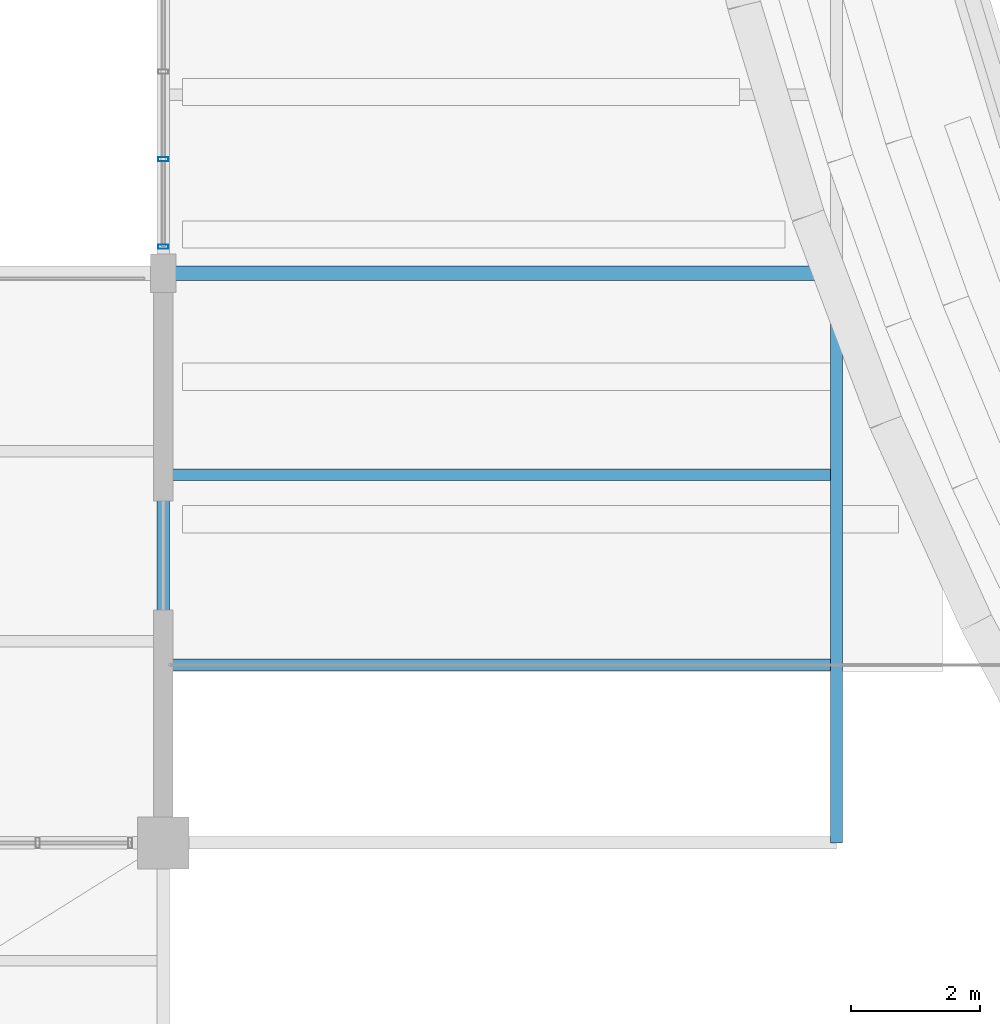
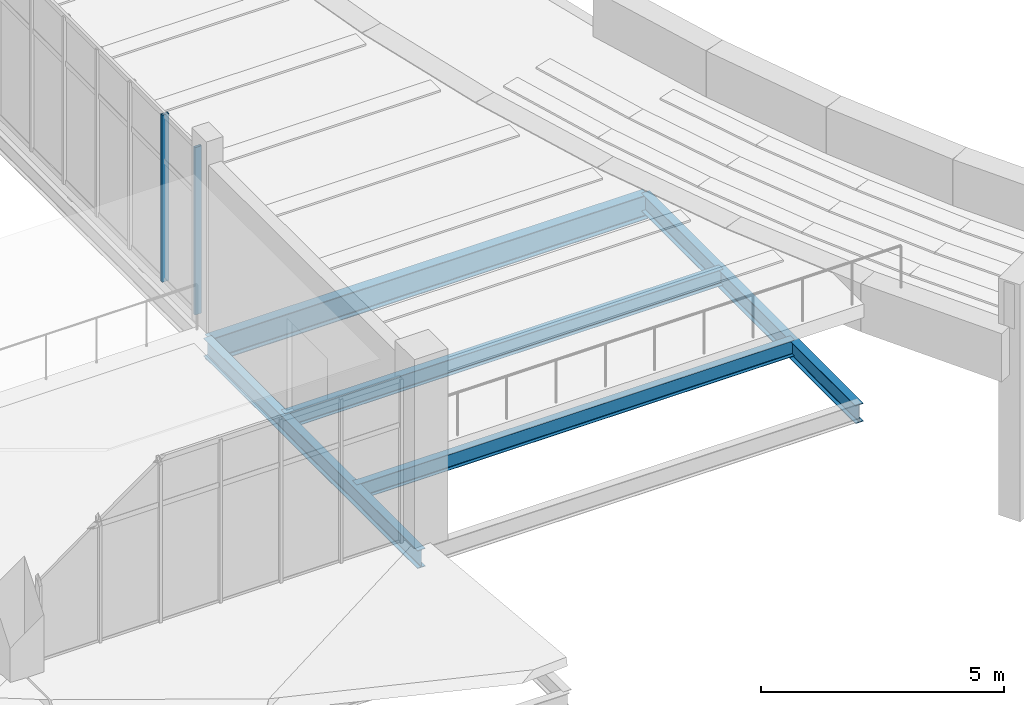
# One storey, part 108 of 157: 5 beams, 2 members, 1 element without a shape of its own.
"""IFC4 building model written with IfcOpenShell, lengths in metres."""

from ifc_helpers import new_model, si_unit, direction, frame, origin, origin_2d, place, context, subcontext, project, spatial, hollow_rectangle, i_section, extrude, material, layer, layer_set, material_profile, profile_set, type_object, element, aggregate, save


model = new_model("IFC4")

# Units and contexts
model_context = context("Model", 3, precision=1e-05, world=origin(), true_north=direction((0.0, 1.0)))
body_context = subcontext(model_context, "Body", "Model", "MODEL_VIEW")
ifc_project = project(units=[si_unit("LENGTHUNIT", "METRE"), si_unit("AREAUNIT", "SQUARE_METRE"), si_unit("VOLUMEUNIT", "CUBIC_METRE"), si_unit("PLANEANGLEUNIT", "RADIAN"), si_unit("MASSUNIT", "GRAM", prefix="KILO")], contexts=[model_context])

# Site, building, storey
site_placement = place(None, origin())
site = spatial("IfcSite", under=ifc_project, at=site_placement, CompositionType="ELEMENT")
building_placement = place(site_placement, origin())
building = spatial("IfcBuilding", under=site, at=building_placement, Name="Chalmorin Arch Market", CompositionType="ELEMENT")
storey_placement = place(building_placement, frame((0.0, 0.0, 4.800048828125)))
storey = spatial("IfcBuildingStorey", under=building, at=storey_placement, Name="L01", CompositionType="ELEMENT", Elevation=4.800048828125)

# Curtain wall, members
ifc_material_1 = material(Name="Aluminium 6063-T6", Category="aluminium")
ifc_layer = layer(ifc_material_1, 0.159912109375)
ifc_layer_set = layer_set([ifc_layer], Name="Aluminium 6063-T6")
curtain_wall_type = type_object("IfcCurtainWallType", Name="GableTympanumCurtainWall-CW4-8100x4200", PredefinedType="NOTDEFINED", material=ifc_layer_set)
curtain_wall_placement = place(storey_placement, origin())
curtain_wall = element("IfcCurtainWall", 1, at=curtain_wall_placement, inside=storey, type_object=curtain_wall_type, Name="CW-04-038", PredefinedType="NOTDEFINED")
ifc_material_profile_1 = material_profile(ifc_material_1, hollow_rectangle(XDim=0.06494140625, YDim=0.159912109375, WallThickness=0.00390625, at=origin_2d()), Name="ALU65X160X4")
ifc_profile_set_1 = profile_set([ifc_material_profile_1], Name="Aluminium 6063-T6")
member_type = type_object("IfcMemberType", Name="CurtainWallMullion-65x160", PredefinedType="MULLION", material=ifc_profile_set_1)
member_1_placement = place(storey_placement, frame((124.800048828125, 15.2099609375, 0.0), z_axis=(0.0, 0.0, 1.0), x_axis=(0.0, 1.0, 0.0)))
member_1 = element("IfcMember", 2, at=member_1_placement, type_object=member_type, Name="ML-038-01", PredefinedType="MULLION", context=body_context, shape_type="SweptSolid", body=[
    extrude(hollow_rectangle(XDim=0.06494140625, YDim=0.159912109375, WallThickness=0.00390625, at=origin_2d()), origin(), (0.0, 0.0, 1.0), 4.199951171875),
])
member_2_placement = place(storey_placement, frame((124.800048828125, 16.560302734375, 0.0), z_axis=(0.0, 0.0, 1.0), x_axis=(0.0, 1.0, 0.0)))
member_2 = element("IfcMember", 3, at=member_2_placement, type_object=member_type, Name="ML-038-02", PredefinedType="MULLION", context=body_context, shape_type="SweptSolid", body=[
    extrude(hollow_rectangle(XDim=0.06494140625, YDim=0.159912109375, WallThickness=0.00390625, at=origin_2d()), origin(), (0.0, 0.0, 1.0), 4.199951171875),
])
aggregate(curtain_wall, [member_1, member_2])

# Beams
ifc_material_2 = material(Name="Steel A992 Grade 50", Category="steel")
ifc_material_profile_2 = material_profile(ifc_material_2, i_section(OverallWidth=0.19091796875, OverallDepth=0.45703125, WebThickness=0.009033203125, FlangeThickness=0.014404296875, FilletRadius=0.02001953125, at=origin_2d()), Name="W18X50")
ifc_profile_set_2 = profile_set([ifc_material_profile_2], Name="Steel A992 Grade 50")
beam_type_1 = type_object("IfcBeamType", Name="PerimeterSpandrelBeam-W18X50", PredefinedType="SPANDREL", material=ifc_profile_set_2)
for number, where, z_axis, x_axis, name in (
    (4, (124.800048828125, 6.0, -0.570556640625), (0.0, 1.0, 0.0), (-1.0, 0.0, 0.0), "SP-W18-0624"),
    (5, (135.199951171875, 6.0, -0.570556640625), (0.0, 1.0, 0.0), (-1.0, 0.0, 0.0), "SP-W18-0682"),
):
    element("IfcBeam", number, at=place(storey_placement, frame(where, z_axis=z_axis, x_axis=x_axis)), inside=storey, type_object=beam_type_1, Name=name, PredefinedType="SPANDREL", context=body_context, shape_type="SweptSolid", body=[
        extrude(i_section(OverallWidth=0.19091796875, OverallDepth=0.45703125, WebThickness=0.009033203125, FlangeThickness=0.014404296875, FilletRadius=0.02001953125, at=origin_2d()), origin(), (0.0, 0.0, 1.0), 8.800048828125),
    ])
ifc_material_profile_3 = material_profile(ifc_material_2, i_section(OverallWidth=0.22802734375, OverallDepth=0.60791015625, WebThickness=0.01123046875, FlangeThickness=0.017333984375, FilletRadius=0.02392578125, at=origin_2d()), Name="W24X76")
ifc_profile_set_3 = profile_set([ifc_material_profile_3], Name="Steel A992 Grade 50")
beam_type_2 = type_object("IfcBeamType", Name="PrimarySteelGirder-W24X76", PredefinedType="BEAM", material=ifc_profile_set_3)
beam_placement = place(storey_placement, frame((124.800048828125, 14.800048828125, -0.64599609375), z_axis=(1.0, 0.0, 0.0), x_axis=(0.0, 1.0, 0.0)))
element("IfcBeam", 6, at=beam_placement, inside=storey, type_object=beam_type_2, Name="BG-W24B-0681", PredefinedType="BEAM", context=body_context, shape_type="SweptSolid", body=[
    extrude(i_section(OverallWidth=0.22802734375, OverallDepth=0.60791015625, WebThickness=0.01123046875, FlangeThickness=0.017333984375, FilletRadius=0.02392578125, at=origin_2d()), origin(), (0.0, 0.0, 1.0), 10.39990234375),
])
ifc_material_profile_4 = material_profile(ifc_material_2, i_section(OverallWidth=0.177978515625, OverallDepth=0.403076171875, WebThickness=0.007568359375, FlangeThickness=0.010986328125, FilletRadius=0.01806640625, at=origin_2d()), Name="W16X36")
ifc_profile_set_4 = profile_set([ifc_material_profile_4], Name="Steel A992 Grade 50")
beam_type_3 = type_object("IfcBeamType", Name="SecondaryFloorJoist-W16X36", PredefinedType="JOIST", material=ifc_profile_set_4)
for number, where, z_axis, x_axis, name in (
    (7, (124.800048828125, 8.75341796875, -0.54345703125), (1.0, 0.0, 0.0), (0.0, 1.0, 0.0), "BJ-W16B-0697"),
    (8, (124.800048828125, 11.686767578125, -0.54345703125), (1.0, 0.0, 0.0), (0.0, 1.0, 0.0), "BJ-W16B-0698"),
):
    element("IfcBeam", number, at=place(storey_placement, frame(where, z_axis=z_axis, x_axis=x_axis)), inside=storey, type_object=beam_type_3, Name=name, PredefinedType="JOIST", context=body_context, shape_type="SweptSolid", body=[
        extrude(i_section(OverallWidth=0.177978515625, OverallDepth=0.403076171875, WebThickness=0.007568359375, FlangeThickness=0.010986328125, FilletRadius=0.01806640625, at=origin_2d()), origin(), (0.0, 0.0, 1.0), 10.39990234375),
    ])

save(model, "model.ifc")
